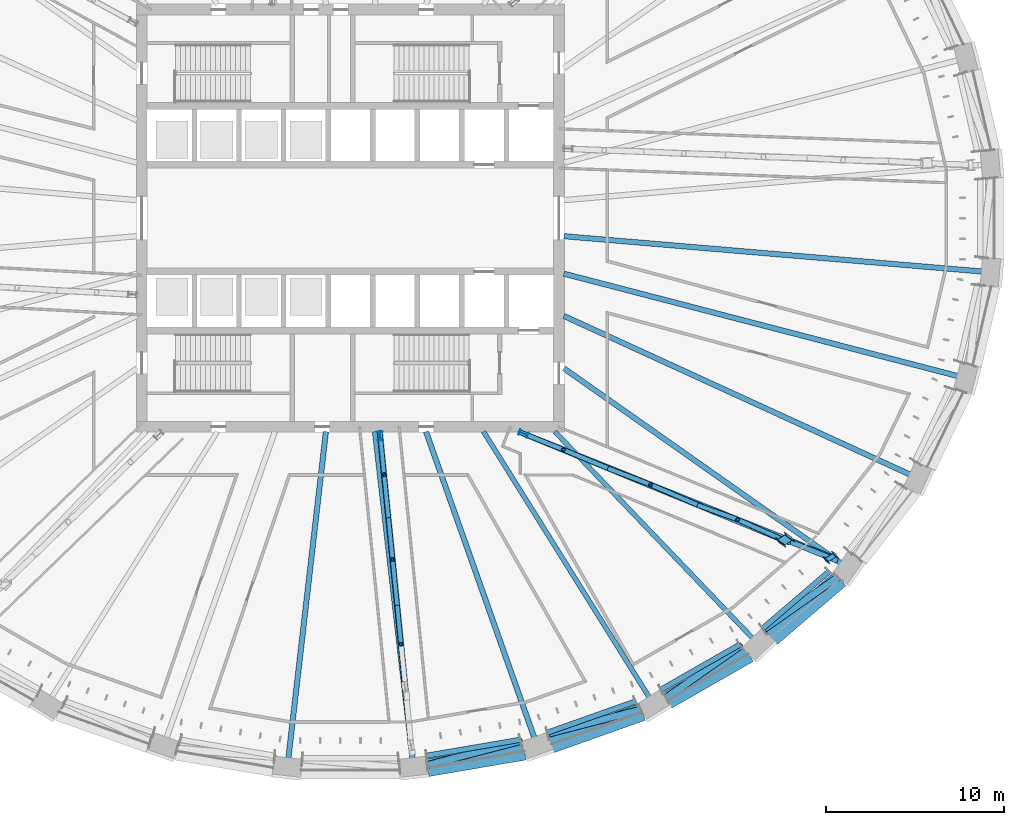
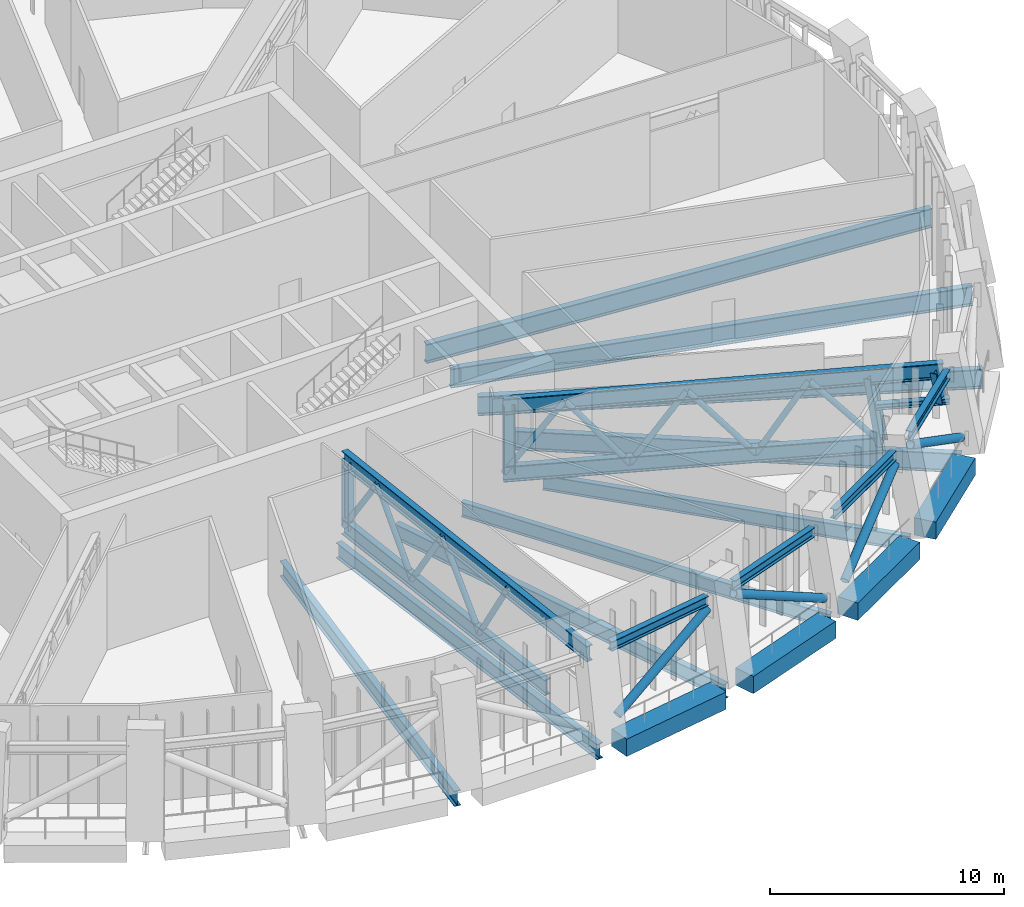
# One storey, part 3 of 22: 28 members, 13 beams.
"""IFC4 building model written with IfcOpenShell, lengths in metres."""

from ifc_helpers import new_model, si_unit, direction, frame, origin, origin_2d, place, context, subcontext, project, spatial, rectangle, hollow_circle, i_section, extrude, material, material_profile, profile_set, type_object, element, save


model = new_model("IFC4")

# Units and contexts
model_context = context("Model", 3, precision=1e-05, world=origin(), true_north=direction((0.0, 1.0)))
body_context = subcontext(model_context, "Body", "Model", "MODEL_VIEW")
ifc_project = project(units=[si_unit("LENGTHUNIT", "METRE"), si_unit("AREAUNIT", "SQUARE_METRE"), si_unit("VOLUMEUNIT", "CUBIC_METRE"), si_unit("PLANEANGLEUNIT", "RADIAN"), si_unit("MASSUNIT", "GRAM", prefix="KILO")], contexts=[model_context])

# Site, building, storey
site_placement = place(None, origin())
site = spatial("IfcSite", under=ifc_project, at=site_placement, CompositionType="ELEMENT")
building_placement = place(site_placement, origin())
building = spatial("IfcBuilding", under=site, at=building_placement, Name="Halqa Exchange Tower", CompositionType="ELEMENT")
storey_placement = place(building_placement, frame((0.0, 0.0, 99.10009765625)))
storey = spatial("IfcBuildingStorey", under=building, at=storey_placement, Name="L22", CompositionType="ELEMENT", Elevation=99.10009765625)

# Members
ifc_material_1 = material(Name="Steel S355", Category="steel")
ifc_material_profile_1 = material_profile(ifc_material_1, i_section(OverallWidth=0.300048828125, OverallDepth=0.5, WebThickness=0.014404296875, FlangeThickness=0.028076171875, FilletRadius=0.027099609375, at=origin_2d()), Name="HEB 500")
ifc_profile_set_1 = profile_set([ifc_material_profile_1], Name="Steel S355")
member_type_1 = type_object("IfcMemberType", Name="Belt truss chord HEB 500", PredefinedType="CHORD", material=ifc_profile_set_1)
member_1_placement = place(storey_placement, frame((4.243896484375, -30.15380859375, 4.25), z_axis=(0.985771880532, 0.168088665744, 0.0), x_axis=(-0.168088665744, 0.985771880532, 0.0)))
element("IfcMember", 1, at=member_1_placement, inside=storey, type_object=member_type_1, Name="Belt chord 25", PredefinedType="CHORD", context=body_context, shape_type="SweptSolid", body=[
    extrude(i_section(OverallWidth=0.300048828125, OverallDepth=0.5, WebThickness=0.014404296875, FlangeThickness=0.028076171875, FilletRadius=0.027099609375, at=origin_2d()), origin(), (0.0, 0.0, 1.0), 5.3740234375),
])
member_2_placement = place(storey_placement, frame((11.036865234375, -28.86083984375, 4.25), z_axis=(0.942353328506, 0.334619491741, 0.0), x_axis=(-0.334619491741, 0.942353328506, 0.0)))
element("IfcMember", 2, at=member_2_placement, inside=storey, type_object=member_type_1, Name="Belt chord 26", PredefinedType="CHORD", context=body_context, shape_type="SweptSolid", body=[
    extrude(i_section(OverallWidth=0.300048828125, OverallDepth=0.5, WebThickness=0.014404296875, FlangeThickness=0.028076171875, FilletRadius=0.027099609375, at=origin_2d()), origin(), (0.0, 0.0, 1.0), 5.271484375),
])
member_3_placement = place(storey_placement, frame((17.40771484375, -26.452392578125, 4.25), z_axis=(0.867784939112, 0.496939935455, 0.0), x_axis=(-0.496939935455, 0.867784939112, 0.0)))
element("IfcMember", 3, at=member_3_placement, inside=storey, type_object=member_type_1, Name="Belt chord 27", PredefinedType="CHORD", context=body_context, shape_type="SweptSolid", body=[
    extrude(i_section(OverallWidth=0.300048828125, OverallDepth=0.5, WebThickness=0.014404296875, FlangeThickness=0.028076171875, FilletRadius=0.027099609375, at=origin_2d()), origin(), (0.0, 0.0, 1.0), 5.119140625),
])
member_4_placement = place(storey_placement, frame((23.111328125, -23.0185546875, 4.25), z_axis=(0.759274080508, 0.650770981735, 0.0), x_axis=(-0.650770981735, 0.759274080508, 0.0)))
element("IfcMember", 4, at=member_4_placement, inside=storey, type_object=member_type_1, Name="Belt chord 28", PredefinedType="CHORD", context=body_context, shape_type="SweptSolid", body=[
    extrude(i_section(OverallWidth=0.300048828125, OverallDepth=0.5, WebThickness=0.014404296875, FlangeThickness=0.028076171875, FilletRadius=0.027099609375, at=origin_2d()), origin(), (0.0, 0.0, 1.0), 4.929931640625),
])
ifc_material_profile_2 = material_profile(ifc_material_1, hollow_circle(Radius=0.203125, WallThickness=0.02490234375, at=origin_2d()), Name="CHS 406.4x25")
ifc_profile_set_2 = profile_set([ifc_material_profile_2], Name="Steel S355")
member_type_2 = type_object("IfcMemberType", Name="Belt truss diagonal CHS 406.4x25", PredefinedType="BRACE", material=ifc_profile_set_2)
for number, where, z_axis, x_axis, name in (
    (5, (4.306640625, -30.67919921875, 0.9208984375), (0.852667020443, 0.221569758473, 0.47314458084), (-0.251502364418, 0.967856683963, 0.0), "Belt diagonal 25"),
    (6, (11.052978515625, -28.92578125, 3.835205078125), (0.852618742375, 0.221765694928, -0.473139785586), (-0.251724034736, 0.96779905473, 0.0), "Belt diagonal 26"),
):
    element("IfcMember", number, at=place(storey_placement, frame(where, z_axis=z_axis, x_axis=x_axis)), inside=storey, type_object=member_type_2, Name=name, PredefinedType="BRACE", context=body_context, shape_type="SweptSolid", body=[
        extrude(hollow_circle(Radius=0.203125, WallThickness=0.02490234375, at=origin_2d()), origin(), (0.0, 0.0, 1.0), 6.159423828125),
    ])
member_5_placement = place(storey_placement, frame((17.705078125, -26.910888671875, 0.94091796875), z_axis=(0.713146086964, 0.501481533333, 0.489835615664), x_axis=(-0.575215659763, 0.818001799975, 0.0)))
element("IfcMember", 7, at=member_5_placement, inside=storey, type_object=member_type_2, Name="Belt diagonal 27", PredefinedType="BRACE", context=body_context, shape_type="SweptSolid", body=[
    extrude(hollow_circle(Radius=0.203125, WallThickness=0.02490234375, at=origin_2d()), origin(), (0.0, 0.0, 1.0), 5.869873046875),
])
member_6_placement = place(storey_placement, frame((23.15380859375, -23.078857421875, 3.816162109375), z_axis=(0.712999732948, 0.501671205658, -0.489854450046), x_axis=(-0.575440205069, 0.817843854529, 0.0)))
element("IfcMember", 8, at=member_6_placement, inside=storey, type_object=member_type_2, Name="Belt diagonal 28", PredefinedType="BRACE", context=body_context, shape_type="SweptSolid", body=[
    extrude(hollow_circle(Radius=0.203125, WallThickness=0.02490234375, at=origin_2d()), origin(), (0.0, 0.0, 1.0), 5.86767578125),
])

# Beams
ifc_material_profile_3 = material_profile(ifc_material_1, i_section(OverallWidth=0.300048828125, OverallDepth=0.989990234375, WebThickness=0.0166015625, FlangeThickness=0.031005859375, FilletRadius=0.030029296875, at=origin_2d()), Name="HEA 1000")
ifc_profile_set_3 = profile_set([ifc_material_profile_3], Name="Steel S355")
beam_type_1 = type_object("IfcBeamType", Name="Floor beam HEA 1000", PredefinedType="BEAM", material=ifc_profile_set_3)
beam_1_placement = place(storey_placement, frame((11.972412109375, -8.421875, -0.84521484375), z_axis=(0.817909909025, -0.575346313727, 0.0), x_axis=(0.575346313727, 0.817909909025, 0.0)))
element("IfcBeam", 9, at=beam_1_placement, inside=storey, type_object=beam_type_1, Name="Radial beam 29", PredefinedType="BEAM", context=body_context, shape_type="SweptSolid", body=[
    extrude(i_section(OverallWidth=0.300048828125, OverallDepth=0.989990234375, WebThickness=0.0166015625, FlangeThickness=0.031005859375, FilletRadius=0.030029296875, at=origin_2d()), origin(), (0.0, 0.0, 1.0), 19.283447265625),
])
ifc_material_profile_4 = material_profile(ifc_material_1, i_section(OverallWidth=0.300048828125, OverallDepth=0.7900390625, WebThickness=0.014892578125, FlangeThickness=0.028076171875, FilletRadius=0.030029296875, at=origin_2d()), Name="HEA 800")
ifc_profile_set_4 = profile_set([ifc_material_profile_4], Name="Steel S355")
beam_type_2 = type_object("IfcBeamType", Name="Floor beam HEA 800", PredefinedType="BEAM", material=ifc_profile_set_4)
beam_2_placement = place(storey_placement, frame((4.23681640625, -11.971923828125, -0.7451171875), z_axis=(0.333628265903, -0.942704715269, 0.0), x_axis=(0.942704715269, 0.333628265903, 0.0)))
element("IfcBeam", 10, at=beam_2_placement, inside=storey, type_object=beam_type_2, Name="Radial beam 26", PredefinedType="BEAM", context=body_context, shape_type="SweptSolid", body=[
    extrude(i_section(OverallWidth=0.300048828125, OverallDepth=0.7900390625, WebThickness=0.014892578125, FlangeThickness=0.028076171875, FilletRadius=0.030029296875, at=origin_2d()), origin(), (0.0, 0.0, 1.0), 18.50146484375),
])
ifc_material_profile_5 = material_profile(ifc_material_1, i_section(OverallWidth=0.300048828125, OverallDepth=1.0, WebThickness=0.01904296875, FlangeThickness=0.035888671875, FilletRadius=0.030029296875, at=origin_2d()), Name="HEB 1000")
ifc_profile_set_5 = profile_set([ifc_material_profile_5], Name="Steel S355")
beam_type_3 = type_object("IfcBeamType", Name="Floor beam HEB 1000", PredefinedType="BEAM", material=ifc_profile_set_5)
beam_3_placement = place(storey_placement, frame((11.972412109375, -5.485107421875, -0.85009765625), z_axis=(0.909124765465, -0.416523901857, 0.0), x_axis=(0.416523901857, 0.909124765465, 0.0)))
element("IfcBeam", 11, at=beam_3_placement, inside=storey, type_object=beam_type_3, Name="Radial beam 30", PredefinedType="BEAM", context=body_context, shape_type="SweptSolid", body=[
    extrude(i_section(OverallWidth=0.300048828125, OverallDepth=1.0, WebThickness=0.01904296875, FlangeThickness=0.035888671875, FilletRadius=0.030029296875, at=origin_2d()), origin(), (0.0, 0.0, 1.0), 21.658447265625),
])
beam_4_placement = place(storey_placement, frame((11.97119140625, -3.11279296875, -0.85009765625), z_axis=(0.967821221956, -0.251638793376, 0.0), x_axis=(0.251638793376, 0.967821221956, 0.0)))
element("IfcBeam", 12, at=beam_4_placement, inside=storey, type_object=beam_type_3, Name="Radial beam 31", PredefinedType="BEAM", context=body_context, shape_type="SweptSolid", body=[
    extrude(i_section(OverallWidth=0.300048828125, OverallDepth=1.0, WebThickness=0.01904296875, FlangeThickness=0.035888671875, FilletRadius=0.030029296875, at=origin_2d()), origin(), (0.0, 0.0, 1.0), 23.138427734375),
])
beam_5_placement = place(storey_placement, frame((11.972412109375, -1.0107421875, -0.85009765625), z_axis=(0.996455472254, -0.084121886657, 0.0), x_axis=(0.084121886657, 0.996455472254, 0.0)))
element("IfcBeam", 13, at=beam_5_placement, inside=storey, type_object=beam_type_3, Name="Radial beam 32", PredefinedType="BEAM", context=body_context, shape_type="SweptSolid", body=[
    extrude(i_section(OverallWidth=0.300048828125, OverallDepth=1.0, WebThickness=0.01904296875, FlangeThickness=0.035888671875, FilletRadius=0.030029296875, at=origin_2d()), origin(), (0.0, 0.0, 1.0), 23.856201171875),
])
ifc_material_profile_6 = material_profile(ifc_material_1, i_section(OverallWidth=0.300048828125, OverallDepth=0.800048828125, WebThickness=0.017578125, FlangeThickness=0.032958984375, FilletRadius=0.030029296875, at=origin_2d()), Name="HEB 800")
ifc_profile_set_6 = profile_set([ifc_material_profile_6], Name="Steel S355")
beam_type_4 = type_object("IfcBeamType", Name="Floor beam HEB 800", PredefinedType="BEAM", material=ifc_profile_set_6)
for number, where, z_axis, x_axis, name in (
    (14, (-1.375732421875, -11.972900390625, -0.75), (-0.114150759109, -0.993463438781, 0.0), (0.993463438781, -0.114150759109, 0.0), "Radial beam 24"),
    (15, (1.375732421875, -11.972900390625, -0.75), (0.114150759109, -0.993463438781, 0.0), (0.993463438781, 0.114150759109, 0.0), "Radial beam 25"),
):
    element("IfcBeam", number, at=place(storey_placement, frame(where, z_axis=z_axis, x_axis=x_axis)), inside=storey, type_object=beam_type_4, Name=name, PredefinedType="BEAM", context=body_context, shape_type="SweptSolid", body=[
        extrude(i_section(OverallWidth=0.300048828125, OverallDepth=0.800048828125, WebThickness=0.017578125, FlangeThickness=0.032958984375, FilletRadius=0.030029296875, at=origin_2d()), origin(), (0.0, 0.0, 1.0), 18.735595703125),
    ])
ifc_material_profile_7 = material_profile(ifc_material_1, i_section(OverallWidth=0.26806640625, OverallDepth=0.77001953125, WebThickness=0.015625, FlangeThickness=0.025390625, FilletRadius=0.01708984375, at=origin_2d()), Name="IPE 750x196")
ifc_profile_set_7 = profile_set([ifc_material_profile_7], Name="Steel S355")
beam_type_5 = type_object("IfcBeamType", Name="Floor beam IPE 750x196", PredefinedType="BEAM", material=ifc_profile_set_7)
beam_6_placement = place(storey_placement, frame((7.46533203125, -11.971435546875, -0.735107421875), z_axis=(0.529141506994, -0.848533597199, 0.0), x_axis=(0.848533597199, 0.529141506994, 0.0)))
element("IfcBeam", 16, at=beam_6_placement, inside=storey, type_object=beam_type_5, Name="Radial beam 27", PredefinedType="BEAM", context=body_context, shape_type="SweptSolid", body=[
    extrude(i_section(OverallWidth=0.26806640625, OverallDepth=0.77001953125, WebThickness=0.015625, FlangeThickness=0.025390625, FilletRadius=0.01708984375, at=origin_2d()), origin(), (0.0, 0.0, 1.0), 17.8447265625),
])
beam_7_placement = place(storey_placement, frame((11.46240234375, -11.9716796875, -0.735107421875), z_axis=(0.691571333254, -0.722308169011, 0.0), x_axis=(0.722308169011, 0.691571333254, 0.0)))
element("IfcBeam", 17, at=beam_7_placement, inside=storey, type_object=beam_type_5, Name="Radial beam 28", PredefinedType="BEAM", context=body_context, shape_type="SweptSolid", body=[
    extrude(i_section(OverallWidth=0.26806640625, OverallDepth=0.77001953125, WebThickness=0.015625, FlangeThickness=0.025390625, FilletRadius=0.01708984375, at=origin_2d()), origin(), (0.0, 0.0, 1.0), 16.338623046875),
])

# Members
ifc_material_profile_8 = material_profile(ifc_material_1, i_section(OverallWidth=0.302978515625, OverallDepth=0.81396484375, WebThickness=0.02099609375, FlangeThickness=0.0400390625, FilletRadius=0.030029296875, at=origin_2d()), Name="HEM 800")
ifc_profile_set_8 = profile_set([ifc_material_profile_8], Name="Steel S355")
member_type_3 = type_object("IfcMemberType", Name="Outrigger chord HEM 800", PredefinedType="CHORD", material=ifc_profile_set_8)
member_7_placement = place(storey_placement, frame((1.647216796875, -11.97314453125, 0.406982421875), z_axis=(0.099695668599, -0.995017976552, 0.0), x_axis=(0.995017976552, 0.099695668599, 0.0)))
element("IfcMember", 18, at=member_7_placement, inside=storey, type_object=member_type_3, Name="Outrigger 7 chord", PredefinedType="CHORD", context=body_context, shape_type="SweptSolid", body=[
    extrude(i_section(OverallWidth=0.302978515625, OverallDepth=0.81396484375, WebThickness=0.02099609375, FlangeThickness=0.0400390625, FilletRadius=0.030029296875, at=origin_2d()), origin(), (0.0, 0.0, 1.0), 14.859619140625),
])
member_8_placement = place(storey_placement, frame((1.647216796875, -11.97314453125, 3.93994140625), z_axis=(0.099245483148, -0.995062979954, 0.0), x_axis=(0.995062979954, 0.099245483148, 0.0)))
element("IfcMember", 19, at=member_8_placement, inside=storey, type_object=member_type_3, Name="Outrigger 7 chord", PredefinedType="CHORD", context=body_context, shape_type="SweptSolid", body=[
    extrude(i_section(OverallWidth=0.302978515625, OverallDepth=0.81396484375, WebThickness=0.02099609375, FlangeThickness=0.0400390625, FilletRadius=0.030029296875, at=origin_2d()), origin(), (0.0, 0.0, 1.0), 17.972412109375),
])
member_9_placement = place(storey_placement, frame((9.47509765625, -11.98974609375, 0.406982421875), z_axis=(0.92535708259, -0.379096649551, 0.0), x_axis=(0.379096649551, 0.92535708259, 0.0)))
element("IfcMember", 20, at=member_9_placement, inside=storey, type_object=member_type_3, Name="Outrigger 8 chord", PredefinedType="CHORD", context=body_context, shape_type="SweptSolid", body=[
    extrude(i_section(OverallWidth=0.302978515625, OverallDepth=0.81396484375, WebThickness=0.02099609375, FlangeThickness=0.0400390625, FilletRadius=0.030029296875, at=origin_2d()), origin(), (0.0, 0.0, 1.0), 16.3544921875),
])
member_10_placement = place(storey_placement, frame((9.47509765625, -11.98974609375, 3.9228515625), z_axis=(0.928065571028, -0.372416830812, 0.0), x_axis=(0.372416830812, 0.928065571028, 0.0)))
element("IfcMember", 21, at=member_10_placement, inside=storey, type_object=member_type_3, Name="Outrigger 8 chord", PredefinedType="CHORD", context=body_context, shape_type="SweptSolid", body=[
    extrude(i_section(OverallWidth=0.302978515625, OverallDepth=0.81396484375, WebThickness=0.02099609375, FlangeThickness=0.0400390625, FilletRadius=0.030029296875, at=origin_2d()), origin(), (0.0, 0.0, 1.0), 18.98828125),
])
ifc_material_profile_9 = material_profile(ifc_material_1, hollow_circle(Radius=0.136474609375, WallThickness=0.01611328125, at=origin_2d()), Name="CHS 273x16")
ifc_profile_set_9 = profile_set([ifc_material_profile_9], Name="Steel S355")
member_type_4 = type_object("IfcMemberType", Name="Outrigger diagonal CHS 273x16", PredefinedType="BRACE", material=ifc_profile_set_9)
member_11_placement = place(storey_placement, frame((1.64990234375, -12.0, 0.406982421875), z_axis=(0.055672027207, -0.557979043499, 0.827985514609), x_axis=(0.995059391147, 0.09928145894, 0.0)))
element("IfcMember", 22, at=member_11_placement, inside=storey, type_object=member_type_4, Name="Outrigger 7 diagonal", PredefinedType="BRACE", context=body_context, shape_type="SweptSolid", body=[
    extrude(hollow_circle(Radius=0.136474609375, WallThickness=0.01611328125, at=origin_2d()), origin(), (0.0, 0.0, 1.0), 4.266845703125),
])
member_12_placement = place(storey_placement, frame((1.887451171875, -14.380859375, 3.93994140625), z_axis=(0.058500611039, -0.581192072475, -0.811660922677), x_axis=(0.99497233222, 0.100150177814, 0.0)))
element("IfcMember", 23, at=member_12_placement, inside=storey, type_object=member_type_4, Name="Outrigger 7 diagonal", PredefinedType="BRACE", context=body_context, shape_type="SweptSolid", body=[
    extrude(hollow_circle(Radius=0.136474609375, WallThickness=0.01611328125, at=origin_2d()), origin(), (0.0, 0.0, 1.0), 4.352783203125),
])
member_13_placement = place(storey_placement, frame((2.14208984375, -16.91064453125, 0.406982421875), z_axis=(0.052622008061, -0.533395808978, 0.844227359917), x_axis=(0.995168860986, 0.098178093909, 0.0)))
element("IfcMember", 24, at=member_13_placement, inside=storey, type_object=member_type_4, Name="Outrigger 7 diagonal", PredefinedType="BRACE", context=body_context, shape_type="SweptSolid", body=[
    extrude(hollow_circle(Radius=0.136474609375, WallThickness=0.01611328125, at=origin_2d()), origin(), (0.0, 0.0, 1.0), 4.184814453125),
])
member_14_placement = place(storey_placement, frame((2.3623046875, -19.142822265625, 3.93994140625), z_axis=(0.061120195945, -0.603012292907, -0.79538701036), x_axis=(0.99490250839, 0.100841453772, 0.0)))
element("IfcMember", 25, at=member_14_placement, inside=storey, type_object=member_type_4, Name="Outrigger 7 diagonal", PredefinedType="BRACE", context=body_context, shape_type="SweptSolid", body=[
    extrude(hollow_circle(Radius=0.136474609375, WallThickness=0.01611328125, at=origin_2d()), origin(), (0.0, 0.0, 1.0), 4.44189453125),
])
member_15_placement = place(storey_placement, frame((2.6337890625, -21.8212890625, 0.406982421875), z_axis=(0.049524076495, -0.507309657536, 0.860339628994), x_axis=(0.995268858707, 0.097159142072, 0.0)))
element("IfcMember", 26, at=member_15_placement, inside=storey, type_object=member_type_4, Name="Outrigger 7 diagonal", PredefinedType="BRACE", context=body_context, shape_type="SweptSolid", body=[
    extrude(hollow_circle(Radius=0.136474609375, WallThickness=0.01611328125, at=origin_2d()), origin(), (0.0, 0.0, 1.0), 4.1064453125),
])
member_16_placement = place(storey_placement, frame((9.5, -12.0, 0.406982421875), z_axis=(0.556385476512, -0.223254466002, 0.800370317376), x_axis=(0.372397429944, 0.928073356029, 0.0)))
element("IfcMember", 27, at=member_16_placement, inside=storey, type_object=member_type_4, Name="Outrigger 8 diagonal", PredefinedType="BRACE", context=body_context, shape_type="SweptSolid", body=[
    extrude(hollow_circle(Radius=0.136474609375, WallThickness=0.01611328125, at=origin_2d()), origin(), (0.0, 0.0, 1.0), 4.392822265625),
])
member_17_placement = place(storey_placement, frame((11.944091796875, -12.980712890625, 3.9228515625), z_axis=(0.574889544228, -0.240080478599, -0.782216962059), x_axis=(0.385358139014, 0.922767091251, 0.0)))
element("IfcMember", 28, at=member_17_placement, inside=storey, type_object=member_type_4, Name="Outrigger 8 diagonal", PredefinedType="BRACE", context=body_context, shape_type="SweptSolid", body=[
    extrude(hollow_circle(Radius=0.136474609375, WallThickness=0.01611328125, at=origin_2d()), origin(), (0.0, 0.0, 1.0), 4.49462890625),
])
member_18_placement = place(storey_placement, frame((14.528076171875, -14.059814453125, 0.406982421875), z_axis=(0.536446709524, -0.205473072148, 0.818538786169), x_axis=(0.35768582083, 0.933841985337, 0.0)))
element("IfcMember", 29, at=member_18_placement, inside=storey, type_object=member_type_4, Name="Outrigger 8 diagonal", PredefinedType="BRACE", context=body_context, shape_type="SweptSolid", body=[
    extrude(hollow_circle(Radius=0.136474609375, WallThickness=0.01611328125, at=origin_2d()), origin(), (0.0, 0.0, 1.0), 4.29541015625),
])
member_19_placement = place(storey_placement, frame((16.832275390625, -14.9423828125, 3.9228515625), z_axis=(0.592018275389, -0.255890294364, -0.764221511642), x_axis=(0.396757520735, 0.917923455273, 0.0)))
element("IfcMember", 30, at=member_19_placement, inside=storey, type_object=member_type_4, Name="Outrigger 8 diagonal", PredefinedType="BRACE", context=body_context, shape_type="SweptSolid", body=[
    extrude(hollow_circle(Radius=0.136474609375, WallThickness=0.01611328125, at=origin_2d()), origin(), (0.0, 0.0, 1.0), 4.6005859375),
])
member_20_placement = place(storey_placement, frame((19.555908203125, -16.11962890625, 0.406982421875), z_axis=(0.515054666315, -0.186595487052, 0.836600750011), x_axis=(0.340618888757, 0.940201453212, 0.0)))
element("IfcMember", 31, at=member_20_placement, inside=storey, type_object=member_type_4, Name="Outrigger 8 diagonal", PredefinedType="BRACE", context=body_context, shape_type="SweptSolid", body=[
    extrude(hollow_circle(Radius=0.136474609375, WallThickness=0.01611328125, at=origin_2d()), origin(), (0.0, 0.0, 1.0), 4.20263671875),
])
member_21_placement = place(storey_placement, frame((21.720458984375, -16.90380859375, 3.9228515625), z_axis=(0.607900309447, -0.270857448817, -0.746386934636), x_axis=(0.40699093399, 0.913432197621, 0.0)))
element("IfcMember", 32, at=member_21_placement, inside=storey, type_object=member_type_4, Name="Outrigger 8 diagonal", PredefinedType="BRACE", context=body_context, shape_type="SweptSolid", body=[
    extrude(hollow_circle(Radius=0.136474609375, WallThickness=0.01611328125, at=origin_2d()), origin(), (0.0, 0.0, 1.0), 4.71044921875),
])
ifc_material_profile_10 = material_profile(ifc_material_1, i_section(OverallWidth=0.300048828125, OverallDepth=0.300048828125, WebThickness=0.010986328125, FlangeThickness=0.01904296875, FilletRadius=0.027099609375, at=origin_2d()), Name="HEB 300")
ifc_profile_set_10 = profile_set([ifc_material_profile_10], Name="Steel S355")
member_type_5 = type_object("IfcMemberType", Name="Outrigger opening chord HEB 300", PredefinedType="CHORD", material=ifc_profile_set_10)
member_22_placement = place(storey_placement, frame((24.352294921875, -18.0166015625, 2.349853515625), z_axis=(0.926860369215, -0.375406254581, 0.0), x_axis=(0.375406254581, 0.926860369215, 0.0)))
element("IfcMember", 33, at=member_22_placement, inside=storey, type_object=member_type_5, Name="Outrigger 8 opening chord", PredefinedType="CHORD", context=body_context, shape_type="SweptSolid", body=[
    extrude(i_section(OverallWidth=0.300048828125, OverallDepth=0.300048828125, WebThickness=0.010986328125, FlangeThickness=0.01904296875, FilletRadius=0.027099609375, at=origin_2d()), origin(), (0.0, 0.0, 1.0), 3.204833984375),
])
ifc_material_profile_11 = material_profile(ifc_material_1, i_section(OverallWidth=0.300048828125, OverallDepth=0.5, WebThickness=0.014404296875, FlangeThickness=0.028076171875, FilletRadius=0.027099609375, at=origin_2d()), Name="HEB 500")
ifc_profile_set_11 = profile_set([ifc_material_profile_11], Name="Steel S355")
member_type_6 = type_object("IfcMemberType", Name="Outrigger post HEB 500", PredefinedType="POST", material=ifc_profile_set_11)
member_23_placement = place(storey_placement, frame((1.672119140625, -12.22119140625, 0.406982421875), z_axis=(0.0, 0.0, 1.0), x_axis=(0.995015620287, 0.099719182637, 0.0)))
element("IfcMember", 34, at=member_23_placement, inside=storey, type_object=member_type_6, Name="Outrigger 7 post", PredefinedType="POST", context=body_context, shape_type="SweptSolid", body=[
    extrude(i_section(OverallWidth=0.300048828125, OverallDepth=0.5, WebThickness=0.014404296875, FlangeThickness=0.028076171875, FilletRadius=0.027099609375, at=origin_2d()), origin(), (0.0, 0.0, 1.0), 3.532958984375),
])
member_24_placement = place(storey_placement, frame((9.70556640625, -12.084228515625, 0.406982421875), z_axis=(0.0, 0.0, 1.0), x_axis=(0.379633780049, 0.925136850982, 0.0)))
element("IfcMember", 35, at=member_24_placement, inside=storey, type_object=member_type_6, Name="Outrigger 8 post", PredefinedType="POST", context=body_context, shape_type="SweptSolid", body=[
    extrude(i_section(OverallWidth=0.300048828125, OverallDepth=0.5, WebThickness=0.014404296875, FlangeThickness=0.028076171875, FilletRadius=0.027099609375, at=origin_2d()), origin(), (0.0, 0.0, 1.0), 3.515869140625),
])
ifc_material_profile_12 = material_profile(ifc_material_1, i_section(OverallWidth=0.300048828125, OverallDepth=0.60009765625, WebThickness=0.015380859375, FlangeThickness=0.030029296875, FilletRadius=0.027099609375, at=origin_2d()), Name="HEB 600")
ifc_profile_set_12 = profile_set([ifc_material_profile_12], Name="Steel S355")
member_type_7 = type_object("IfcMemberType", Name="Outrigger post HEB 600", PredefinedType="POST", material=ifc_profile_set_12)
member_25_placement = place(storey_placement, frame((24.583984375, -18.1796875, 0.406982421875), z_axis=(-0.118047861762, 0.083073262439, 0.989526925051), x_axis=(0.530170296942, -0.837308772538, 0.133542037091)))
element("IfcMember", 36, at=member_25_placement, inside=storey, type_object=member_type_7, Name="Outrigger 8 post", PredefinedType="POST", context=body_context, shape_type="SweptSolid", body=[
    extrude(i_section(OverallWidth=0.300048828125, OverallDepth=0.60009765625, WebThickness=0.015380859375, FlangeThickness=0.030029296875, FilletRadius=0.027099609375, at=origin_2d()), origin(), (0.0, 0.0, 1.0), 3.552978515625),
])
member_26_placement = place(storey_placement, frame((27.046142578125, -19.1064453125, 2.349853515625), z_axis=(-0.141108770993, 0.099219493363, 0.985009546596), x_axis=(0.527078330603, -0.834698003241, 0.159585954253)))
element("IfcMember", 37, at=member_26_placement, inside=storey, type_object=member_type_7, Name="Outrigger 8 post", PredefinedType="POST", context=body_context, shape_type="SweptSolid", body=[
    extrude(i_section(OverallWidth=0.300048828125, OverallDepth=0.60009765625, WebThickness=0.015380859375, FlangeThickness=0.030029296875, FilletRadius=0.027099609375, at=origin_2d()), origin(), (0.0, 0.0, 1.0), 1.596923828125),
])

# Beams
ifc_material_2 = material(Name="Concrete C60/75", Category="concrete")
ifc_material_profile_13 = material_profile(ifc_material_2, rectangle(XDim=1.0, YDim=0.89990234375, at=origin_2d()), Name="1000 x 900")
ifc_profile_set_13 = profile_set([ifc_material_profile_13], Name="Concrete C60/75")
beam_type_6 = type_object("IfcBeamType", Name="RC spandrel beam 1000 x 900 C60/75", PredefinedType="SPANDREL", material=ifc_profile_set_13)
beam_8_placement = place(storey_placement, frame((4.321044921875, -30.8251953125, -0.4501953125), z_axis=(0.985777143165, 0.168057799621, 0.0), x_axis=(-0.168057799621, 0.985777143165, 0.0)))
element("IfcBeam", 38, at=beam_8_placement, inside=storey, type_object=beam_type_6, Name="Spandrel 25", PredefinedType="SPANDREL", context=body_context, shape_type="SweptSolid", body=[
    extrude(rectangle(XDim=1.0, YDim=0.89990234375, at=origin_2d()), origin(), (0.0, 0.0, 1.0), 5.527587890625),
])
beam_9_placement = place(storey_placement, frame((11.265380859375, -29.50634765625, -0.4501953125), z_axis=(0.942369615116, 0.334573621951, 0.0), x_axis=(-0.334573621951, 0.942369615116, 0.0)))
element("IfcBeam", 39, at=beam_9_placement, inside=storey, type_object=beam_type_6, Name="Spandrel 26", PredefinedType="SPANDREL", context=body_context, shape_type="SweptSolid", body=[
    extrude(rectangle(XDim=1.0, YDim=0.89990234375, at=origin_2d()), origin(), (0.0, 0.0, 1.0), 5.423828125),
])
beam_10_placement = place(storey_placement, frame((17.77978515625, -27.047119140625, -0.4501953125), z_axis=(0.867743454254, 0.497012371677, 0.0), x_axis=(-0.497012371677, 0.867743454254, 0.0)))
element("IfcBeam", 40, at=beam_10_placement, inside=storey, type_object=beam_type_6, Name="Spandrel 27", PredefinedType="SPANDREL", context=body_context, shape_type="SweptSolid", body=[
    extrude(rectangle(XDim=1.0, YDim=0.89990234375, at=origin_2d()), origin(), (0.0, 0.0, 1.0), 5.266357421875),
])
beam_11_placement = place(storey_placement, frame((23.610595703125, -23.539794921875, -0.4501953125), z_axis=(0.759287164201, 0.650755716286, 0.0), x_axis=(-0.650755716286, 0.759287164201, 0.0)))
element("IfcBeam", 41, at=beam_11_placement, inside=storey, type_object=beam_type_6, Name="Spandrel 28", PredefinedType="SPANDREL", context=body_context, shape_type="SweptSolid", body=[
    extrude(rectangle(XDim=1.0, YDim=0.89990234375, at=origin_2d()), origin(), (0.0, 0.0, 1.0), 5.074951171875),
])

save(model, "model.ifc")
